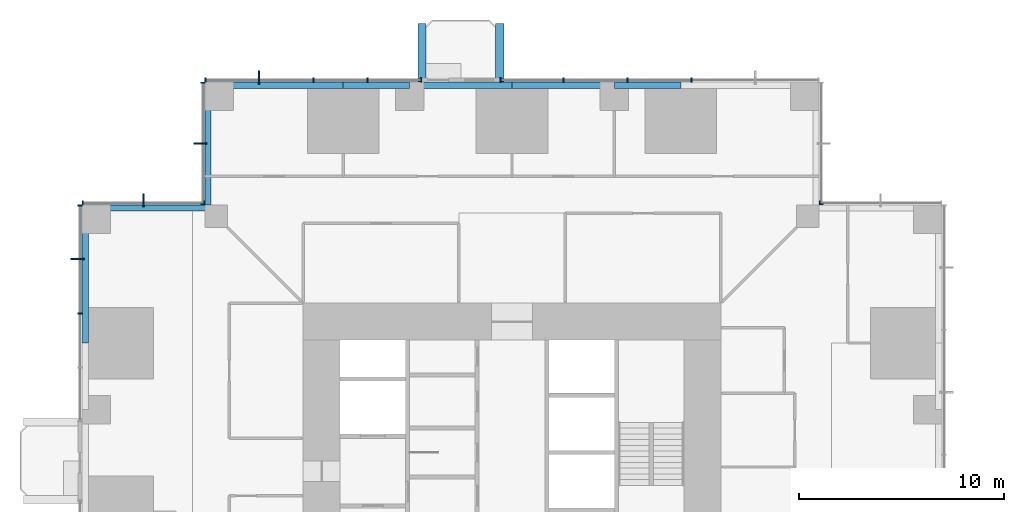
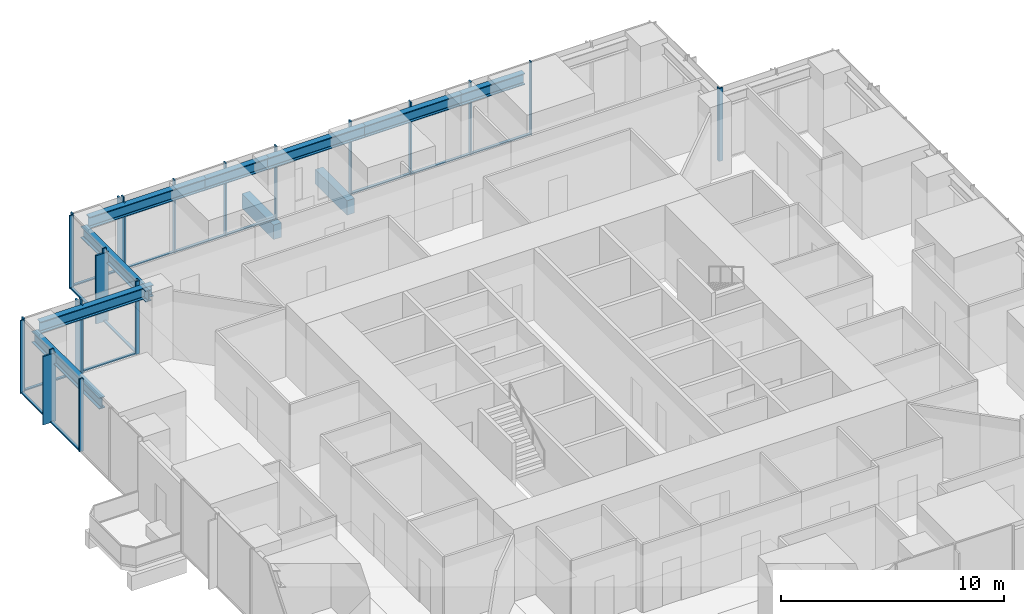
# One storey, part 5 of 16: 37 members, 10 beams, 7 elements without a shape of their own.
"""IFC4 building model written with IfcOpenShell, lengths in metres."""

from ifc_helpers import new_model, si_unit, direction, frame, origin, origin_2d, place, context, subcontext, project, spatial, rectangle, i_section, extrude, material, material_profile, profile_set, type_object, element, aggregate, save


model = new_model("IFC4")

# Units and contexts
model_context = context("Model", 3, precision=1e-05, world=origin(), true_north=direction((0.0, 1.0)))
body_context = subcontext(model_context, "Body", "Model", "MODEL_VIEW")
ifc_project = project(units=[si_unit("LENGTHUNIT", "METRE"), si_unit("AREAUNIT", "SQUARE_METRE"), si_unit("VOLUMEUNIT", "CUBIC_METRE"), si_unit("PLANEANGLEUNIT", "RADIAN"), si_unit("MASSUNIT", "GRAM", prefix="KILO")], contexts=[model_context])

# Site, building, storey
site_placement = place(None, origin())
site = spatial("IfcSite", under=ifc_project, at=site_placement, CompositionType="ELEMENT")
building_placement = place(site_placement, origin())
building = spatial("IfcBuilding", under=site, at=building_placement, Name="Svetlomir Tower", CompositionType="ELEMENT")
storey_placement = place(building_placement, frame((0.0, 0.0, 50.5)))
storey = spatial("IfcBuildingStorey", under=building, at=storey_placement, Name="L11", CompositionType="ELEMENT", Elevation=50.5)

# Beams
ifc_material_1 = material(Name="Concrete C60/75", Category="concrete")
ifc_material_profile_1 = material_profile(ifc_material_1, rectangle(XDim=0.39990234375, YDim=0.800048828125, at=origin_2d()), Name="RC 400x800")
ifc_profile_set_1 = profile_set([ifc_material_profile_1], Name="Concrete C60/75")
beam_type_1 = type_object("IfcBeamType", Name="BALCONY RIB RC 400x800", PredefinedType="BEAM", material=ifc_profile_set_1)
for number, where, z_axis, x_axis, name in (
    (1, (16.60009765625, 42.0, -0.64990234375), (0.0, 1.0, 0.0), (-1.0, 0.0, 0.0), "Balcony rib N 1 L11"),
    (2, (20.39990234375, 42.0, -0.64990234375), (0.0, 1.0, 0.0), (-1.0, 0.0, 0.0), "Balcony rib N 2 L11"),
):
    element("IfcBeam", number, at=place(storey_placement, frame(where, z_axis=z_axis, x_axis=x_axis)), inside=storey, type_object=beam_type_1, Name=name, PredefinedType="BEAM", context=body_context, shape_type="SweptSolid", body=[
        extrude(rectangle(XDim=0.39990234375, YDim=0.800048828125, at=origin_2d()), origin(), (0.0, 0.0, 1.0), 2.85009765625),
    ])

# Curtain wall, member
ifc_material_2 = material(Name="Bronze anodised aluminium curtain wall", Category="aluminium")
curtain_wall_type = type_object("IfcCurtainWallType", Name="CURTAIN WALL CW1 TOWER OFFICE", PredefinedType="NOTDEFINED", material=ifc_material_2)
curtain_wall_1_placement = place(storey_placement, origin())
curtain_wall_1 = element("IfcCurtainWall", 3, at=curtain_wall_1_placement, inside=storey, type_object=curtain_wall_type, Name="Curtain wall CW1 L11", PredefinedType="NOTDEFINED")
ifc_material_3 = material(Name="Bronze anodised aluminium", Category="aluminium")
ifc_material_profile_2 = material_profile(ifc_material_3, rectangle(XDim=0.080078125, YDim=0.64990234375, at=origin_2d()), Name="FIN 80x650")
ifc_profile_set_2 = profile_set([ifc_material_profile_2], Name="Bronze anodised aluminium 6063-T6")
member_type_1 = type_object("IfcMemberType", Name="BRONZE FIN 80x650", PredefinedType="USERDEFINED", material=ifc_profile_set_2)
member_1_placement = place(storey_placement, frame((8.64990234375, 42.22509765625, 0.0), z_axis=(0.0, 0.0, 1.0), x_axis=(1.0, 0.0, 0.0)))
member_1 = element("IfcMember", 4, at=member_1_placement, type_object=member_type_1, Name="Bronze fin L11", ObjectType="FIN", PredefinedType="USERDEFINED", context=body_context, shape_type="SweptSolid", body=[
    extrude(rectangle(XDim=0.080078125, YDim=0.64990234375, at=origin_2d()), origin(), (0.0, 0.0, 1.0), 3.75),
])

curtain_wall_2_placement = place(storey_placement, origin())
curtain_wall_2 = element("IfcCurtainWall", 5, at=curtain_wall_2_placement, inside=storey, type_object=curtain_wall_type, Name="Curtain wall CW1 L11", PredefinedType="NOTDEFINED")
member_2_placement = place(storey_placement, frame((5.77490234375, 39.0, 0.0), z_axis=(0.0, 0.0, 1.0), x_axis=(0.0, 1.0, 0.0)))
member_2 = element("IfcMember", 6, at=member_2_placement, type_object=member_type_1, Name="Bronze fin L11", ObjectType="FIN", PredefinedType="USERDEFINED", context=body_context, shape_type="SweptSolid", body=[
    extrude(rectangle(XDim=0.080078125, YDim=0.64990234375, at=origin_2d()), origin(), (0.0, 0.0, 1.0), 3.75),
])

curtain_wall_3_placement = place(storey_placement, origin())
curtain_wall_3 = element("IfcCurtainWall", 7, at=curtain_wall_3_placement, inside=storey, type_object=curtain_wall_type, Name="Curtain wall CW1 L11", PredefinedType="NOTDEFINED")
member_3_placement = place(storey_placement, frame((3.0, 36.22509765625, 0.0), z_axis=(0.0, 0.0, 1.0), x_axis=(1.0, 0.0, 0.0)))
member_3 = element("IfcMember", 8, at=member_3_placement, type_object=member_type_1, Name="Bronze fin L11", ObjectType="FIN", PredefinedType="USERDEFINED", context=body_context, shape_type="SweptSolid", body=[
    extrude(rectangle(XDim=0.080078125, YDim=0.64990234375, at=origin_2d()), origin(), (0.0, 0.0, 1.0), 3.75),
])

curtain_wall_4_placement = place(storey_placement, origin())
curtain_wall_4 = element("IfcCurtainWall", 9, at=curtain_wall_4_placement, inside=storey, type_object=curtain_wall_type, Name="Curtain wall CW1 L11", PredefinedType="NOTDEFINED")
member_4_placement = place(storey_placement, frame((-0.22509765625, 33.35009765625, 0.0), z_axis=(0.0, 0.0, 1.0), x_axis=(0.0, 1.0, 0.0)))
member_4 = element("IfcMember", 10, at=member_4_placement, type_object=member_type_1, Name="Bronze fin L11", ObjectType="FIN", PredefinedType="USERDEFINED", context=body_context, shape_type="SweptSolid", body=[
    extrude(rectangle(XDim=0.080078125, YDim=0.64990234375, at=origin_2d()), origin(), (0.0, 0.0, 1.0), 3.75),
])

curtain_wall_5_placement = place(storey_placement, origin())
curtain_wall_5 = element("IfcCurtainWall", 11, at=curtain_wall_5_placement, inside=storey, type_object=curtain_wall_type, Name="Curtain wall CW1 L11", PredefinedType="NOTDEFINED")
ifc_material_4 = material(Name="Bronze anodised aluminium", Category="aluminium")
ifc_material_profile_3 = material_profile(ifc_material_4, rectangle(XDim=0.06494140625, YDim=0.199951171875, at=origin_2d()), Name="AL 65x200")
ifc_profile_set_3 = profile_set([ifc_material_profile_3], Name="Bronze anodised aluminium 6063-T6")
member_type_2 = type_object("IfcMemberType", Name="CW1 MULLION 65x200", PredefinedType="MULLION", material=ifc_profile_set_3)
member_5_placement = place(storey_placement, frame((36.032470703125, 36.10009765625, 0.0), z_axis=(0.0, 0.0, 1.0), x_axis=(-1.0, 0.0, 0.0)))
member_5 = element("IfcMember", 12, at=member_5_placement, type_object=member_type_2, Name="CW1 mullion 3", PredefinedType="MULLION", context=body_context, shape_type="SweptSolid", body=[
    extrude(rectangle(XDim=0.06494140625, YDim=0.199951171875, at=origin_2d()), origin(), (0.0, 0.0, 1.0), 4.0),
])
aggregate(curtain_wall_5, [member_5])

curtain_wall_6_placement = place(storey_placement, origin())
curtain_wall_6 = element("IfcCurtainWall", 13, at=curtain_wall_6_placement, inside=storey, type_object=curtain_wall_type, Name="Curtain wall CW1 L11", PredefinedType="NOTDEFINED")
member_6_placement = place(storey_placement, frame((36.10009765625, 36.032470703125, 0.0), z_axis=(0.0, 0.0, 1.0), x_axis=(0.0, 1.0, 0.0)))
member_6 = element("IfcMember", 14, at=member_6_placement, type_object=member_type_2, Name="CW1 mullion 1", PredefinedType="MULLION", context=body_context, shape_type="SweptSolid", body=[
    extrude(rectangle(XDim=0.06494140625, YDim=0.199951171875, at=origin_2d()), origin(), (0.0, 0.0, 1.0), 4.0),
])
aggregate(curtain_wall_6, [member_6])

# Curtain wall, members
curtain_wall_7_placement = place(storey_placement, origin())
curtain_wall_7 = element("IfcCurtainWall", 15, at=curtain_wall_7_placement, inside=storey, type_object=curtain_wall_type, Name="Curtain wall CW1 L11", PredefinedType="NOTDEFINED")
member_7_placement = place(storey_placement, frame((29.760009765625, 42.10009765625, 0.0), z_axis=(0.0, 0.0, 1.0), x_axis=(-1.0, 0.0, 0.0)))
member_7 = element("IfcMember", 16, at=member_7_placement, type_object=member_type_2, Name="CW1 mullion 3", PredefinedType="MULLION", context=body_context, shape_type="SweptSolid", body=[
    extrude(rectangle(XDim=0.06494140625, YDim=0.199951171875, at=origin_2d()), origin(), (0.0, 0.0, 1.0), 4.0),
])
member_8_placement = place(storey_placement, frame((26.639892578125, 42.10009765625, 0.0), z_axis=(0.0, 0.0, 1.0), x_axis=(-1.0, 0.0, 0.0)))
member_8 = element("IfcMember", 17, at=member_8_placement, type_object=member_type_2, Name="CW1 mullion 4", PredefinedType="MULLION", context=body_context, shape_type="SweptSolid", body=[
    extrude(rectangle(XDim=0.06494140625, YDim=0.199951171875, at=origin_2d()), origin(), (0.0, 0.0, 1.0), 4.0),
])
member_9_placement = place(storey_placement, frame((23.52001953125, 42.10009765625, 0.0), z_axis=(0.0, 0.0, 1.0), x_axis=(-1.0, 0.0, 0.0)))
member_9 = element("IfcMember", 18, at=member_9_placement, type_object=member_type_2, Name="CW1 mullion 5", PredefinedType="MULLION", context=body_context, shape_type="SweptSolid", body=[
    extrude(rectangle(XDim=0.06494140625, YDim=0.199951171875, at=origin_2d()), origin(), (0.0, 0.0, 1.0), 4.0),
])
member_10_placement = place(storey_placement, frame((20.4326171875, 42.10009765625, 0.0), z_axis=(0.0, 0.0, 1.0), x_axis=(-1.0, 0.0, 0.0)))
member_10 = element("IfcMember", 19, at=member_10_placement, type_object=member_type_2, Name="CW1 mullion 6", PredefinedType="MULLION", context=body_context, shape_type="SweptSolid", body=[
    extrude(rectangle(XDim=0.06494140625, YDim=0.199951171875, at=origin_2d()), origin(), (0.0, 0.0, 1.0), 4.0),
])

# Member
member_11_placement = place(storey_placement, frame((16.5673828125, 42.10009765625, 0.0), z_axis=(0.0, 0.0, 1.0), x_axis=(-1.0, 0.0, 0.0)))
member_11 = element("IfcMember", 20, at=member_11_placement, type_object=member_type_2, Name="CW1 mullion 1", PredefinedType="MULLION", context=body_context, shape_type="SweptSolid", body=[
    extrude(rectangle(XDim=0.06494140625, YDim=0.199951171875, at=origin_2d()), origin(), (0.0, 0.0, 1.0), 4.0),
])

member_12_placement = place(storey_placement, frame((13.949951171875, 42.10009765625, 0.0), z_axis=(0.0, 0.0, 1.0), x_axis=(-1.0, 0.0, 0.0)))
member_12 = element("IfcMember", 21, at=member_12_placement, type_object=member_type_2, Name="CW1 mullion 2", PredefinedType="MULLION", context=body_context, shape_type="SweptSolid", body=[
    extrude(rectangle(XDim=0.06494140625, YDim=0.199951171875, at=origin_2d()), origin(), (0.0, 0.0, 1.0), 4.0),
])

member_13_placement = place(storey_placement, frame((11.300048828125, 42.10009765625, 0.0), z_axis=(0.0, 0.0, 1.0), x_axis=(-1.0, 0.0, 0.0)))
member_13 = element("IfcMember", 22, at=member_13_placement, type_object=member_type_2, Name="CW1 mullion 3", PredefinedType="MULLION", context=body_context, shape_type="SweptSolid", body=[
    extrude(rectangle(XDim=0.06494140625, YDim=0.199951171875, at=origin_2d()), origin(), (0.0, 0.0, 1.0), 4.0),
])

member_14_placement = place(storey_placement, frame((8.64990234375, 42.10009765625, 0.0), z_axis=(0.0, 0.0, 1.0), x_axis=(-1.0, 0.0, 0.0)))
member_14 = element("IfcMember", 23, at=member_14_placement, type_object=member_type_2, Name="CW1 mullion 4", PredefinedType="MULLION", context=body_context, shape_type="SweptSolid", body=[
    extrude(rectangle(XDim=0.06494140625, YDim=0.199951171875, at=origin_2d()), origin(), (0.0, 0.0, 1.0), 4.0),
])

member_15_placement = place(storey_placement, frame((6.032470703125, 42.10009765625, 0.0), z_axis=(0.0, 0.0, 1.0), x_axis=(-1.0, 0.0, 0.0)))
member_15 = element("IfcMember", 24, at=member_15_placement, type_object=member_type_2, Name="CW1 mullion 5", PredefinedType="MULLION", context=body_context, shape_type="SweptSolid", body=[
    extrude(rectangle(XDim=0.06494140625, YDim=0.199951171875, at=origin_2d()), origin(), (0.0, 0.0, 1.0), 4.0),
])

member_16_placement = place(storey_placement, frame((5.89990234375, 41.967529296875, 0.0), z_axis=(0.0, 0.0, 1.0), x_axis=(0.0, -1.0, 0.0)))
member_16 = element("IfcMember", 25, at=member_16_placement, type_object=member_type_2, Name="CW1 mullion 1", PredefinedType="MULLION", context=body_context, shape_type="SweptSolid", body=[
    extrude(rectangle(XDim=0.06494140625, YDim=0.199951171875, at=origin_2d()), origin(), (0.0, 0.0, 1.0), 4.0),
])

member_17_placement = place(storey_placement, frame((5.89990234375, 39.0, 0.0), z_axis=(0.0, 0.0, 1.0), x_axis=(0.0, -1.0, 0.0)))
member_17 = element("IfcMember", 26, at=member_17_placement, type_object=member_type_2, Name="CW1 mullion 2", PredefinedType="MULLION", context=body_context, shape_type="SweptSolid", body=[
    extrude(rectangle(XDim=0.06494140625, YDim=0.199951171875, at=origin_2d()), origin(), (0.0, 0.0, 1.0), 4.0),
])

member_18_placement = place(storey_placement, frame((5.89990234375, 36.032470703125, 0.0), z_axis=(0.0, 0.0, 1.0), x_axis=(0.0, -1.0, 0.0)))
member_18 = element("IfcMember", 27, at=member_18_placement, type_object=member_type_2, Name="CW1 mullion 3", PredefinedType="MULLION", context=body_context, shape_type="SweptSolid", body=[
    extrude(rectangle(XDim=0.06494140625, YDim=0.199951171875, at=origin_2d()), origin(), (0.0, 0.0, 1.0), 4.0),
])

member_19_placement = place(storey_placement, frame((5.967529296875, 36.10009765625, 0.0), z_axis=(0.0, 0.0, 1.0), x_axis=(-1.0, 0.0, 0.0)))
member_19 = element("IfcMember", 28, at=member_19_placement, type_object=member_type_2, Name="CW1 mullion 1", PredefinedType="MULLION", context=body_context, shape_type="SweptSolid", body=[
    extrude(rectangle(XDim=0.06494140625, YDim=0.199951171875, at=origin_2d()), origin(), (0.0, 0.0, 1.0), 4.0),
])

member_20_placement = place(storey_placement, frame((3.0, 36.10009765625, 0.0), z_axis=(0.0, 0.0, 1.0), x_axis=(-1.0, 0.0, 0.0)))
member_20 = element("IfcMember", 29, at=member_20_placement, type_object=member_type_2, Name="CW1 mullion 2", PredefinedType="MULLION", context=body_context, shape_type="SweptSolid", body=[
    extrude(rectangle(XDim=0.06494140625, YDim=0.199951171875, at=origin_2d()), origin(), (0.0, 0.0, 1.0), 4.0),
])

member_21_placement = place(storey_placement, frame((0.032470703125, 36.10009765625, 0.0), z_axis=(0.0, 0.0, 1.0), x_axis=(-1.0, 0.0, 0.0)))
member_21 = element("IfcMember", 30, at=member_21_placement, type_object=member_type_2, Name="CW1 mullion 3", PredefinedType="MULLION", context=body_context, shape_type="SweptSolid", body=[
    extrude(rectangle(XDim=0.06494140625, YDim=0.199951171875, at=origin_2d()), origin(), (0.0, 0.0, 1.0), 4.0),
])

member_22_placement = place(storey_placement, frame((-0.10009765625, 35.967529296875, 0.0), z_axis=(0.0, 0.0, 1.0), x_axis=(0.0, -1.0, 0.0)))
member_22 = element("IfcMember", 31, at=member_22_placement, type_object=member_type_2, Name="CW1 mullion 1", PredefinedType="MULLION", context=body_context, shape_type="SweptSolid", body=[
    extrude(rectangle(XDim=0.06494140625, YDim=0.199951171875, at=origin_2d()), origin(), (0.0, 0.0, 1.0), 4.0),
])

member_23_placement = place(storey_placement, frame((-0.10009765625, 33.35009765625, 0.0), z_axis=(0.0, 0.0, 1.0), x_axis=(0.0, -1.0, 0.0)))
member_23 = element("IfcMember", 32, at=member_23_placement, type_object=member_type_2, Name="CW1 mullion 2", PredefinedType="MULLION", context=body_context, shape_type="SweptSolid", body=[
    extrude(rectangle(XDim=0.06494140625, YDim=0.199951171875, at=origin_2d()), origin(), (0.0, 0.0, 1.0), 4.0),
])

member_24_placement = place(storey_placement, frame((-0.10009765625, 30.699951171875, 0.0), z_axis=(0.0, 0.0, 1.0), x_axis=(0.0, -1.0, 0.0)))
member_24 = element("IfcMember", 33, at=member_24_placement, type_object=member_type_2, Name="CW1 mullion 3", PredefinedType="MULLION", context=body_context, shape_type="SweptSolid", body=[
    extrude(rectangle(XDim=0.06494140625, YDim=0.199951171875, at=origin_2d()), origin(), (0.0, 0.0, 1.0), 4.0),
])

ifc_material_5 = material(Name="Bronze anodised aluminium", Category="aluminium")
ifc_material_profile_4 = material_profile(ifc_material_5, rectangle(XDim=0.139892578125, YDim=0.06494140625, at=origin_2d()), Name="AL 140x65")
ifc_profile_set_4 = profile_set([ifc_material_profile_4], Name="Bronze anodised aluminium 6063-T6")
member_type_3 = type_object("IfcMemberType", Name="CW1 TRANSOM 65x140", PredefinedType="USERDEFINED", material=ifc_profile_set_4)
member_25_placement = place(storey_placement, frame((29.7275390625, 42.10009765625, 0.032470703125), z_axis=(-1.0, 0.0, 0.0), x_axis=(0.0, -1.0, 0.0)))
member_25 = element("IfcMember", 34, at=member_25_placement, type_object=member_type_3, Name="CW1 transom 3.1", ObjectType="TRANSOM", PredefinedType="USERDEFINED", context=body_context, shape_type="SweptSolid", body=[
    extrude(rectangle(XDim=0.139892578125, YDim=0.06494140625, at=origin_2d()), origin(), (0.0, 0.0, 1.0), 3.054931640625),
])

member_26_placement = place(storey_placement, frame((26.607421875, 42.10009765625, 0.032470703125), z_axis=(-1.0, 0.0, 0.0), x_axis=(0.0, -1.0, 0.0)))
member_26 = element("IfcMember", 35, at=member_26_placement, type_object=member_type_3, Name="CW1 transom 4.1", ObjectType="TRANSOM", PredefinedType="USERDEFINED", context=body_context, shape_type="SweptSolid", body=[
    extrude(rectangle(XDim=0.139892578125, YDim=0.06494140625, at=origin_2d()), origin(), (0.0, 0.0, 1.0), 3.054931640625),
])

member_27_placement = place(storey_placement, frame((23.487548828125, 42.10009765625, 0.032470703125), z_axis=(-1.0, 0.0, 0.0), x_axis=(0.0, -1.0, 0.0)))
member_27 = element("IfcMember", 36, at=member_27_placement, type_object=member_type_3, Name="CW1 transom 5.1", ObjectType="TRANSOM", PredefinedType="USERDEFINED", context=body_context, shape_type="SweptSolid", body=[
    extrude(rectangle(XDim=0.139892578125, YDim=0.06494140625, at=origin_2d()), origin(), (0.0, 0.0, 1.0), 3.0224609375),
])

aggregate(curtain_wall_7, [member_7, member_8, member_9, member_10, member_25, member_26, member_27])

member_28_placement = place(storey_placement, frame((16.534912109375, 42.10009765625, 0.032470703125), z_axis=(-1.0, 0.0, 0.0), x_axis=(0.0, -1.0, 0.0)))
member_28 = element("IfcMember", 37, at=member_28_placement, type_object=member_type_3, Name="CW1 transom 1.1", ObjectType="TRANSOM", PredefinedType="USERDEFINED", context=body_context, shape_type="SweptSolid", body=[
    extrude(rectangle(XDim=0.139892578125, YDim=0.06494140625, at=origin_2d()), origin(), (0.0, 0.0, 1.0), 2.552490234375),
])

member_29_placement = place(storey_placement, frame((13.91748046875, 42.10009765625, 0.032470703125), z_axis=(-1.0, 0.0, 0.0), x_axis=(0.0, -1.0, 0.0)))
member_29 = element("IfcMember", 38, at=member_29_placement, type_object=member_type_3, Name="CW1 transom 2.1", ObjectType="TRANSOM", PredefinedType="USERDEFINED", context=body_context, shape_type="SweptSolid", body=[
    extrude(rectangle(XDim=0.139892578125, YDim=0.06494140625, at=origin_2d()), origin(), (0.0, 0.0, 1.0), 2.5849609375),
])

member_30_placement = place(storey_placement, frame((11.267578125, 42.10009765625, 0.032470703125), z_axis=(-1.0, 0.0, 0.0), x_axis=(0.0, -1.0, 0.0)))
member_30 = element("IfcMember", 39, at=member_30_placement, type_object=member_type_3, Name="CW1 transom 3.1", ObjectType="TRANSOM", PredefinedType="USERDEFINED", context=body_context, shape_type="SweptSolid", body=[
    extrude(rectangle(XDim=0.139892578125, YDim=0.06494140625, at=origin_2d()), origin(), (0.0, 0.0, 1.0), 2.5849609375),
])

member_31_placement = place(storey_placement, frame((8.617431640625, 42.10009765625, 0.032470703125), z_axis=(-1.0, 0.0, 0.0), x_axis=(0.0, -1.0, 0.0)))
member_31 = element("IfcMember", 40, at=member_31_placement, type_object=member_type_3, Name="CW1 transom 4.1", ObjectType="TRANSOM", PredefinedType="USERDEFINED", context=body_context, shape_type="SweptSolid", body=[
    extrude(rectangle(XDim=0.139892578125, YDim=0.06494140625, at=origin_2d()), origin(), (0.0, 0.0, 1.0), 2.552490234375),
])

aggregate(curtain_wall_1, [member_11, member_12, member_13, member_14, member_15, member_28, member_29, member_30, member_31, member_1])

member_32_placement = place(storey_placement, frame((5.89990234375, 41.93505859375, 0.032470703125), z_axis=(0.0, -1.0, 0.0), x_axis=(1.0, 0.0, 0.0)))
member_32 = element("IfcMember", 41, at=member_32_placement, type_object=member_type_3, Name="CW1 transom 1.1", ObjectType="TRANSOM", PredefinedType="USERDEFINED", context=body_context, shape_type="SweptSolid", body=[
    extrude(rectangle(XDim=0.139892578125, YDim=0.06494140625, at=origin_2d()), origin(), (0.0, 0.0, 1.0), 2.902587890625),
])

member_33_placement = place(storey_placement, frame((5.89990234375, 38.967529296875, 0.032470703125), z_axis=(0.0, -1.0, 0.0), x_axis=(1.0, 0.0, 0.0)))
member_33 = element("IfcMember", 42, at=member_33_placement, type_object=member_type_3, Name="CW1 transom 2.1", ObjectType="TRANSOM", PredefinedType="USERDEFINED", context=body_context, shape_type="SweptSolid", body=[
    extrude(rectangle(XDim=0.139892578125, YDim=0.06494140625, at=origin_2d()), origin(), (0.0, 0.0, 1.0), 2.902587890625),
])

aggregate(curtain_wall_2, [member_16, member_17, member_18, member_32, member_33, member_2])

member_34_placement = place(storey_placement, frame((5.93505859375, 36.10009765625, 0.032470703125), z_axis=(-1.0, 0.0, 0.0), x_axis=(0.0, -1.0, 0.0)))
member_34 = element("IfcMember", 43, at=member_34_placement, type_object=member_type_3, Name="CW1 transom 1.1", ObjectType="TRANSOM", PredefinedType="USERDEFINED", context=body_context, shape_type="SweptSolid", body=[
    extrude(rectangle(XDim=0.139892578125, YDim=0.06494140625, at=origin_2d()), origin(), (0.0, 0.0, 1.0), 2.902587890625),
])

member_35_placement = place(storey_placement, frame((2.967529296875, 36.10009765625, 0.032470703125), z_axis=(-1.0, 0.0, 0.0), x_axis=(0.0, -1.0, 0.0)))
member_35 = element("IfcMember", 44, at=member_35_placement, type_object=member_type_3, Name="CW1 transom 2.1", ObjectType="TRANSOM", PredefinedType="USERDEFINED", context=body_context, shape_type="SweptSolid", body=[
    extrude(rectangle(XDim=0.139892578125, YDim=0.06494140625, at=origin_2d()), origin(), (0.0, 0.0, 1.0), 2.902587890625),
])

aggregate(curtain_wall_3, [member_19, member_20, member_21, member_34, member_35, member_3])

member_36_placement = place(storey_placement, frame((-0.10009765625, 35.93505859375, 0.032470703125), z_axis=(0.0, -1.0, 0.0), x_axis=(1.0, 0.0, 0.0)))
member_36 = element("IfcMember", 45, at=member_36_placement, type_object=member_type_3, Name="CW1 transom 1.1", ObjectType="TRANSOM", PredefinedType="USERDEFINED", context=body_context, shape_type="SweptSolid", body=[
    extrude(rectangle(XDim=0.139892578125, YDim=0.06494140625, at=origin_2d()), origin(), (0.0, 0.0, 1.0), 2.552490234375),
])

member_37_placement = place(storey_placement, frame((-0.10009765625, 33.3173828125, 0.032470703125), z_axis=(0.0, -1.0, 0.0), x_axis=(1.0, 0.0, 0.0)))
member_37 = element("IfcMember", 46, at=member_37_placement, type_object=member_type_3, Name="CW1 transom 2.1", ObjectType="TRANSOM", PredefinedType="USERDEFINED", context=body_context, shape_type="SweptSolid", body=[
    extrude(rectangle(XDim=0.139892578125, YDim=0.06494140625, at=origin_2d()), origin(), (0.0, 0.0, 1.0), 2.5849609375),
])

aggregate(curtain_wall_4, [member_22, member_23, member_24, member_36, member_37, member_4])

# Beams
ifc_material_6 = material(Name="Steel S355", Category="steel")
ifc_material_profile_5 = material_profile(ifc_material_6, i_section(OverallWidth=0.304931640625, OverallDepth=0.6201171875, WebThickness=0.02099609375, FlangeThickness=0.0400390625, FilletRadius=0.027099609375, at=origin_2d()), Name="HEM 600")
ifc_profile_set_5 = profile_set([ifc_material_profile_5], Name="Steel S355")
beam_type_2 = type_object("IfcBeamType", Name="EDGE BEAM HEM 600", PredefinedType="SPANDREL", material=ifc_profile_set_5)
beam_1_placement = place(storey_placement, frame((6.699951171875, 41.847412109375, 3.43994140625), z_axis=(1.0, 0.0, 0.0), x_axis=(0.0, 1.0, 0.0)))
element("IfcBeam", 47, at=beam_1_placement, inside=storey, type_object=beam_type_2, Name="Edge beam 6/42 to 11/42 under L12", PredefinedType="SPANDREL", context=body_context, shape_type="SweptSolid", body=[
    extrude(i_section(OverallWidth=0.304931640625, OverallDepth=0.6201171875, WebThickness=0.02099609375, FlangeThickness=0.0400390625, FilletRadius=0.027099609375, at=origin_2d()), origin(), (0.0, 0.0, 1.0), 6.050048828125),
])
beam_2_placement = place(storey_placement, frame((12.75, 41.847412109375, 3.43994140625), z_axis=(1.0, 0.0, 0.0), x_axis=(0.0, 1.0, 0.0)))
element("IfcBeam", 48, at=beam_2_placement, inside=storey, type_object=beam_type_2, Name="Edge beam 11/42 to 16/42 under L12", PredefinedType="SPANDREL", context=body_context, shape_type="SweptSolid", body=[
    extrude(i_section(OverallWidth=0.304931640625, OverallDepth=0.6201171875, WebThickness=0.02099609375, FlangeThickness=0.0400390625, FilletRadius=0.027099609375, at=origin_2d()), origin(), (0.0, 0.0, 1.0), 3.25),
])
for number, where, z_axis, x_axis, name in (
    (49, (16.0, 41.847412109375, 3.43994140625), (1.0, 0.0, 0.0), (0.0, 1.0, 0.0), "Edge beam 16/42 to 21/42 under L12"),
    (50, (21.0, 41.847412109375, 3.43994140625), (1.0, 0.0, 0.0), (0.0, 1.0, 0.0), "Edge beam 21/42 to 26/42 under L12"),
):
    element("IfcBeam", number, at=place(storey_placement, frame(where, z_axis=z_axis, x_axis=x_axis)), inside=storey, type_object=beam_type_2, Name=name, PredefinedType="SPANDREL", context=body_context, shape_type="SweptSolid", body=[
        extrude(i_section(OverallWidth=0.304931640625, OverallDepth=0.6201171875, WebThickness=0.02099609375, FlangeThickness=0.0400390625, FilletRadius=0.027099609375, at=origin_2d()), origin(), (0.0, 0.0, 1.0), 5.0),
    ])
beam_3_placement = place(storey_placement, frame((26.0, 41.847412109375, 3.43994140625), z_axis=(1.0, 0.0, 0.0), x_axis=(0.0, 1.0, 0.0)))
element("IfcBeam", 51, at=beam_3_placement, inside=storey, type_object=beam_type_2, Name="Edge beam 26/42 to 31/42 under L12", PredefinedType="SPANDREL", context=body_context, shape_type="SweptSolid", body=[
    extrude(i_section(OverallWidth=0.304931640625, OverallDepth=0.6201171875, WebThickness=0.02099609375, FlangeThickness=0.0400390625, FilletRadius=0.027099609375, at=origin_2d()), origin(), (0.0, 0.0, 1.0), 3.25),
])
beam_4_placement = place(storey_placement, frame((0.152587890625, 29.25, 3.43994140625), z_axis=(0.0, 1.0, 0.0), x_axis=(-1.0, 0.0, 0.0)))
element("IfcBeam", 52, at=beam_4_placement, inside=storey, type_object=beam_type_2, Name="Edge beam 0/31 to 0/36 under L12", PredefinedType="SPANDREL", context=body_context, shape_type="SweptSolid", body=[
    extrude(i_section(OverallWidth=0.304931640625, OverallDepth=0.6201171875, WebThickness=0.02099609375, FlangeThickness=0.0400390625, FilletRadius=0.027099609375, at=origin_2d()), origin(), (0.0, 0.0, 1.0), 6.050048828125),
])
for number, where, z_axis, x_axis, name in (
    (53, (6.152587890625, 41.300048828125, 3.43994140625), (0.0, -1.0, 0.0), (1.0, 0.0, 0.0), "Edge beam 6/42 to 6/36 under L12"),
    (54, (0.699951171875, 35.847412109375, 3.43994140625), (1.0, 0.0, 0.0), (0.0, 1.0, 0.0), "Edge beam 0/36 to 6/36 under L12"),
):
    element("IfcBeam", number, at=place(storey_placement, frame(where, z_axis=z_axis, x_axis=x_axis)), inside=storey, type_object=beam_type_2, Name=name, PredefinedType="SPANDREL", context=body_context, shape_type="SweptSolid", body=[
        extrude(i_section(OverallWidth=0.304931640625, OverallDepth=0.6201171875, WebThickness=0.02099609375, FlangeThickness=0.0400390625, FilletRadius=0.027099609375, at=origin_2d()), origin(), (0.0, 0.0, 1.0), 5.85009765625),
    ])

save(model, "model.ifc")
